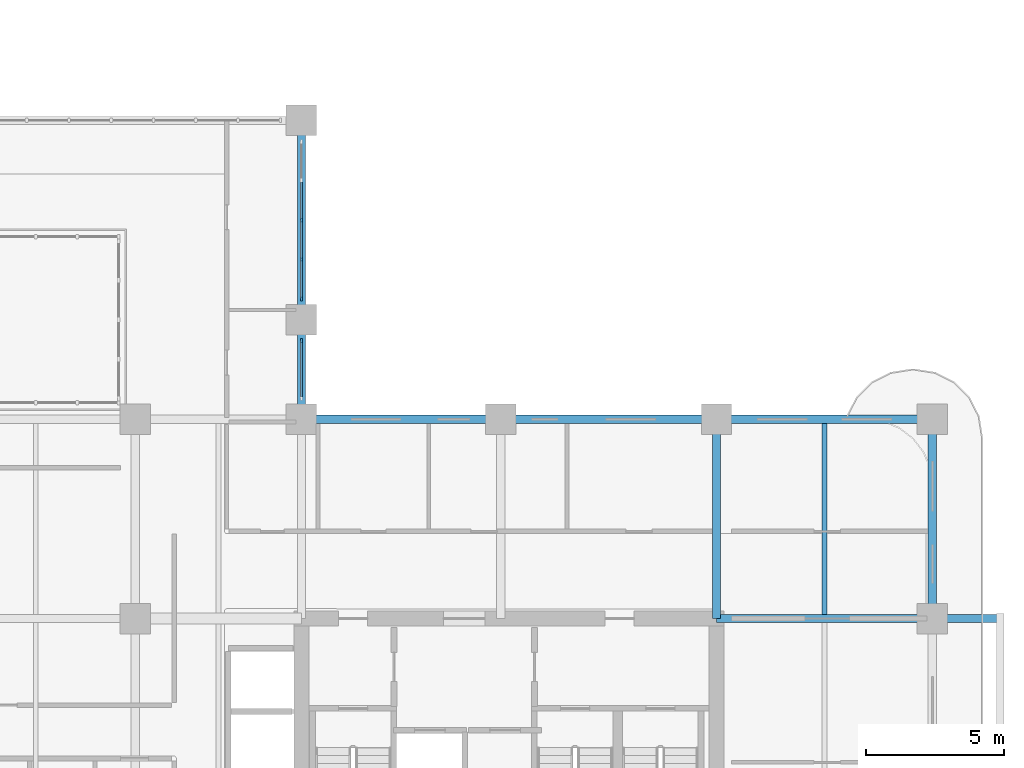
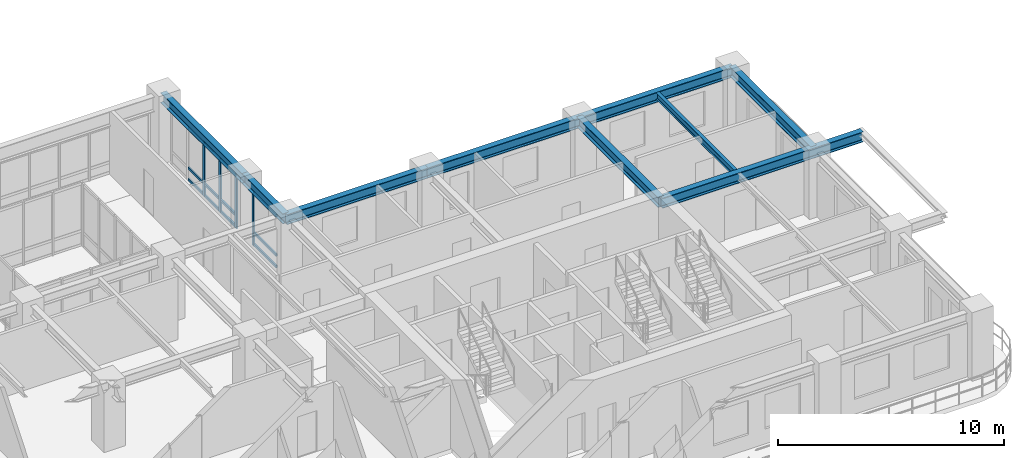
# One storey, part 5 of 22: 16 members, 9 beams, 2 elements without a shape of their own.
"""IFC4 building model written with IfcOpenShell, lengths in metres."""

from ifc_helpers import new_model, si_unit, derived_unit, direction, frame, origin, origin_2d, place, context, subcontext, project, spatial, rectangle, i_section, extrude, source, transform, mapped, material, layer, layer_set, material_profile, profile_set, type_object, type_shapes, element, aggregate, save


model = new_model("IFC4")

# Units and contexts
model_context = context("Model", 3, precision=1e-05, world=origin(), true_north=direction((0.0, 1.0)))
body_context = subcontext(model_context, "Body", "Model", "MODEL_VIEW")
ifc_project = project(units=[si_unit("LENGTHUNIT", "METRE"), si_unit("AREAUNIT", "SQUARE_METRE"), si_unit("VOLUMEUNIT", "CUBIC_METRE"), si_unit("PLANEANGLEUNIT", "RADIAN"), si_unit("MASSUNIT", "GRAM", prefix="KILO"), si_unit("THERMODYNAMICTEMPERATUREUNIT", "KELVIN"), si_unit("POWERUNIT", "WATT"), derived_unit("THERMALTRANSMITTANCEUNIT", [(si_unit("POWERUNIT", "WATT"), 1), (si_unit("AREAUNIT", "SQUARE_METRE"), -1), (si_unit("THERMODYNAMICTEMPERATUREUNIT", "KELVIN"), -1)])], contexts=[model_context])

# Site, building, storey
site_placement = place(None, origin())
site = spatial("IfcSite", under=ifc_project, at=site_placement, CompositionType="ELEMENT")
building_placement = place(site_placement, origin())
building = spatial("IfcBuilding", under=site, at=building_placement, Name="Zahravan Archway Hotel and Residences", CompositionType="ELEMENT")
storey_placement = place(building_placement, frame((0.0, 0.0, 80.5)))
storey = spatial("IfcBuildingStorey", under=building, at=storey_placement, Name="L19", CompositionType="ELEMENT", Elevation=80.5)

# Beams
ifc_material_1 = material(Name="Structural Steel S355JR", Category="steel")
ifc_material_profile_1 = material_profile(ifc_material_1, i_section(OverallWidth=0.300048828125, OverallDepth=0.550048828125, WebThickness=0.014892578125, FlangeThickness=0.029052734375, FilletRadius=0.027099609375, at=origin_2d()), Name="HEB 550", Category="steel")
ifc_profile_set_1 = profile_set([ifc_material_profile_1], Name="Structural Steel S355JR")
beam_type_1 = type_object("IfcBeamType", Name="BM-PRI-HEB550", PredefinedType="BEAM", material=ifc_profile_set_1)
shared_shape_1 = source(origin(), body_context, "Body", "SweptSolid", [
    extrude(i_section(OverallWidth=0.300048828125, OverallDepth=0.550048828125, WebThickness=0.014892578125, FlangeThickness=0.029052734375, FilletRadius=0.027099609375, at=origin_2d()), origin(), (0.0, 0.0, 1.0), 7.2001953125),
])
type_shapes(beam_type_1, [shared_shape_1])
for number, where, z_axis, x_axis, name in (
    (1, (49.800048828125, 14.39990234375, 3.175048828125), (0.0, 1.0, 0.0), (-1.0, 0.0, 0.0), "L19 Primary Girder NS-49"),
    (2, (57.60009765625, 14.39990234375, 3.175048828125), (0.0, 1.0, 0.0), (-1.0, 0.0, 0.0), "L19 Primary Girder NS-52"),
):
    element("IfcBeam", number, at=place(storey_placement, frame(where, z_axis=z_axis, x_axis=x_axis)), inside=storey, type_object=beam_type_1, Name=name, PredefinedType="BEAM", context=body_context, shape_type="MappedRepresentation", body=[
        mapped(shared_shape_1, transform((0.0, 0.0, 0.0), scale=1.0)),
    ])
shared_shape_2 = source(origin(), body_context, "Body", "SweptSolid", [
    extrude(i_section(OverallWidth=0.300048828125, OverallDepth=0.550048828125, WebThickness=0.014892578125, FlangeThickness=0.029052734375, FilletRadius=0.027099609375, at=origin_2d()), origin(), (0.0, 0.0, 1.0), 7.199951171875),
])
for number, where, z_axis, x_axis, name in (
    (3, (34.800048828125, 21.60009765625, 3.175048828125), (1.0, 0.0, 0.0), (0.0, 1.0, 0.0), "L19 Primary Girder EW-17"),
    (4, (34.800048828125, 25.199951171875, 3.175048828125), (0.0, 1.0, 0.0), (-1.0, 0.0, 0.0), "L19 Primary Girder NS-47"),
):
    element("IfcBeam", number, at=place(storey_placement, frame(where, z_axis=z_axis, x_axis=x_axis)), inside=storey, type_object=beam_type_1, Name=name, PredefinedType="BEAM", context=body_context, shape_type="MappedRepresentation", body=[
        mapped(shared_shape_2, transform((0.0, 0.0, 0.0), scale=1.0)),
    ])
shared_shape_3 = source(origin(), body_context, "Body", "SweptSolid", [
    extrude(i_section(OverallWidth=0.300048828125, OverallDepth=0.550048828125, WebThickness=0.014892578125, FlangeThickness=0.029052734375, FilletRadius=0.027099609375, at=origin_2d()), origin(), (0.0, 0.0, 1.0), 7.800048828125),
])
for number, where, z_axis, x_axis, name in (
    (5, (42.0, 21.60009765625, 3.175048828125), (1.0, 0.0, 0.0), (0.0, 1.0, 0.0), "L19 Primary Girder EW-18"),
    (6, (49.800048828125, 21.60009765625, 3.175048828125), (1.0, 0.0, 0.0), (0.0, 1.0, 0.0), "L19 Primary Girder EW-19"),
):
    element("IfcBeam", number, at=place(storey_placement, frame(where, z_axis=z_axis, x_axis=x_axis)), inside=storey, type_object=beam_type_1, Name=name, PredefinedType="BEAM", context=body_context, shape_type="MappedRepresentation", body=[
        mapped(shared_shape_3, transform((0.0, 0.0, 0.0), scale=1.0)),
    ])
shared_shape_4 = source(origin(), body_context, "Body", "SweptSolid", [
    extrude(i_section(OverallWidth=0.300048828125, OverallDepth=0.550048828125, WebThickness=0.014892578125, FlangeThickness=0.029052734375, FilletRadius=0.027099609375, at=origin_2d()), origin(), (0.0, 0.0, 1.0), 3.599853515625),
])
beam_1_placement = place(storey_placement, frame((34.800048828125, 21.60009765625, 3.175048828125), z_axis=(0.0, 1.0, 0.0), x_axis=(-1.0, 0.0, 0.0)))
element("IfcBeam", 7, at=beam_1_placement, inside=storey, type_object=beam_type_1, Name="L19 Primary Girder NS-46", PredefinedType="BEAM", context=body_context, shape_type="MappedRepresentation", body=[
    mapped(shared_shape_4, transform((0.0, 0.0, 0.0), scale=1.0)),
])
shared_shape_5 = source(origin(), body_context, "Body", "SweptSolid", [
    extrude(i_section(OverallWidth=0.300048828125, OverallDepth=0.550048828125, WebThickness=0.014892578125, FlangeThickness=0.029052734375, FilletRadius=0.027099609375, at=origin_2d()), origin(), (0.0, 0.0, 1.0), 10.25),
])
beam_2_placement = place(storey_placement, frame((49.800048828125, 14.39990234375, 3.175048828125), z_axis=(1.0, 0.0, 0.0), x_axis=(0.0, 1.0, 0.0)))
element("IfcBeam", 8, at=beam_2_placement, inside=storey, type_object=beam_type_1, Name="L19 Primary Girder EW-13", PredefinedType="BEAM", context=body_context, shape_type="MappedRepresentation", body=[
    mapped(shared_shape_5, transform((0.0, 0.0, 0.0), scale=1.0)),
])
ifc_material_profile_2 = material_profile(ifc_material_1, i_section(OverallWidth=0.169921875, OverallDepth=0.360107421875, WebThickness=0.008056640625, FlangeThickness=0.0126953125, FilletRadius=0.01806640625, at=origin_2d()), Name="IPE 360", Category="steel")
ifc_profile_set_2 = profile_set([ifc_material_profile_2], Name="Structural Steel S355JR")
beam_type_2 = type_object("IfcBeamType", Name="BM-JST-IPE360", PredefinedType="JOIST", material=ifc_profile_set_2)
shared_shape_6 = source(origin(), body_context, "Body", "SweptSolid", [
    extrude(i_section(OverallWidth=0.169921875, OverallDepth=0.360107421875, WebThickness=0.008056640625, FlangeThickness=0.0126953125, FilletRadius=0.01806640625, at=origin_2d()), origin(), (0.0, 0.0, 1.0), 6.90380859375),
])
beam_3_placement = place(storey_placement, frame((53.699951171875, 14.548095703125, 3.27001953125), z_axis=(0.0, 1.0, 0.0), x_axis=(-1.0, 0.0, 0.0)))
element("IfcBeam", 9, at=beam_3_placement, inside=storey, type_object=beam_type_2, Name="L19 Composite Floor Joist 12", PredefinedType="JOIST", context=body_context, shape_type="MappedRepresentation", body=[
    mapped(shared_shape_6, transform((0.0, 0.0, 0.0), scale=1.0)),
])

# Curtain wall, members
ifc_material_2 = material(Name="Bronze-Anodized Unitised Aluminium & Low-E Glass", Category="aluminium")
ifc_layer = layer(ifc_material_2, 0.179931640625, Name="Bronze-Anodized Unitised Aluminium & Low-E Glass", Category="aluminium")
ifc_layer_set = layer_set([ifc_layer], Name="Bronze-Anodized Unitised Aluminium & Low-E Glass")
curtain_wall_type = type_object("IfcCurtainWallType", Name="CW-ATR-GLAZ", PredefinedType="NOTDEFINED", material=ifc_layer_set)
curtain_wall_1_placement = place(storey_placement, origin())
curtain_wall_1 = element("IfcCurtainWall", 10, at=curtain_wall_1_placement, inside=storey, type_object=curtain_wall_type, Name="L19 Curtain Wall CW-L19-HNG-E-2", PredefinedType="NOTDEFINED")
ifc_material_3 = material(Name="Bronze-Anodized Extruded Aluminium", Category="aluminium")
ifc_material_profile_3 = material_profile(ifc_material_3, rectangle(XDim=0.080078125, YDim=0.139892578125, at=origin_2d()), Name="TRN 80x140", Category="aluminium")
ifc_profile_set_3 = profile_set([ifc_material_profile_3], Name="Bronze-Anodized Extruded Aluminium")
member_type_1 = type_object("IfcMemberType", Name="CWM-TRN-140", PredefinedType="USERDEFINED", material=ifc_profile_set_3)
shared_shape_7 = source(origin(), body_context, "Body", "SweptSolid", [
    extrude(rectangle(XDim=0.080078125, YDim=0.139892578125, at=origin_2d()), origin(), (0.0, 0.0, 1.0), 1.33984375),
])
member_1_placement = place(storey_placement, frame((34.800048828125, 28.840087890625, 0.070068359375), z_axis=(0.0, 1.0, 0.0), x_axis=(-1.0, 0.0, 0.0)))
member_1 = element("IfcMember", 11, at=member_1_placement, type_object=member_type_1, Name="CW-L19-HNG-E-2 Transom 2-1", ObjectType="TRANSOM", PredefinedType="USERDEFINED", context=body_context, shape_type="MappedRepresentation", body=[
    mapped(shared_shape_7, transform((0.0, 0.0, 0.0), scale=1.0)),
])
member_2_placement = place(storey_placement, frame((34.800048828125, 28.840087890625, 0.6923828125), z_axis=(0.0, 1.0, 0.0), x_axis=(-1.0, 0.0, 0.0)))
member_2 = element("IfcMember", 12, at=member_2_placement, type_object=member_type_1, Name="CW-L19-HNG-E-2 Transom 2-2", ObjectType="TRANSOM", PredefinedType="USERDEFINED", context=body_context, shape_type="MappedRepresentation", body=[
    mapped(shared_shape_7, transform((0.0, 0.0, 0.0), scale=1.0)),
])
member_3_placement = place(storey_placement, frame((34.800048828125, 28.840087890625, 2.81494140625), z_axis=(0.0, 1.0, 0.0), x_axis=(-1.0, 0.0, 0.0)))
member_3 = element("IfcMember", 13, at=member_3_placement, type_object=member_type_1, Name="CW-L19-HNG-E-2 Transom 2-3", ObjectType="TRANSOM", PredefinedType="USERDEFINED", context=body_context, shape_type="MappedRepresentation", body=[
    mapped(shared_shape_7, transform((0.0, 0.0, 0.0), scale=1.0)),
])
shared_shape_8 = source(origin(), body_context, "Body", "SweptSolid", [
    extrude(rectangle(XDim=0.080078125, YDim=0.139892578125, at=origin_2d()), origin(), (0.0, 0.0, 1.0), 1.340087890625),
])
member_4_placement = place(storey_placement, frame((34.800048828125, 26.0, 0.070068359375), z_axis=(0.0, 1.0, 0.0), x_axis=(-1.0, 0.0, 0.0)))
member_4 = element("IfcMember", 14, at=member_4_placement, type_object=member_type_1, Name="CW-L19-HNG-E-2 Transom 0-1", ObjectType="TRANSOM", PredefinedType="USERDEFINED", context=body_context, shape_type="MappedRepresentation", body=[
    mapped(shared_shape_8, transform((0.0, 0.0, 0.0), scale=1.0)),
])
member_5_placement = place(storey_placement, frame((34.800048828125, 26.0, 0.6923828125), z_axis=(0.0, 1.0, 0.0), x_axis=(-1.0, 0.0, 0.0)))
member_5 = element("IfcMember", 15, at=member_5_placement, type_object=member_type_1, Name="CW-L19-HNG-E-2 Transom 0-2", ObjectType="TRANSOM", PredefinedType="USERDEFINED", context=body_context, shape_type="MappedRepresentation", body=[
    mapped(shared_shape_8, transform((0.0, 0.0, 0.0), scale=1.0)),
])
member_6_placement = place(storey_placement, frame((34.800048828125, 26.0, 2.81494140625), z_axis=(0.0, 1.0, 0.0), x_axis=(-1.0, 0.0, 0.0)))
member_6 = element("IfcMember", 16, at=member_6_placement, type_object=member_type_1, Name="CW-L19-HNG-E-2 Transom 0-3", ObjectType="TRANSOM", PredefinedType="USERDEFINED", context=body_context, shape_type="MappedRepresentation", body=[
    mapped(shared_shape_8, transform((0.0, 0.0, 0.0), scale=1.0)),
])
member_7_placement = place(storey_placement, frame((34.800048828125, 27.419921875, 0.070068359375), z_axis=(0.0, 1.0, 0.0), x_axis=(-1.0, 0.0, 0.0)))
member_7 = element("IfcMember", 17, at=member_7_placement, type_object=member_type_1, Name="CW-L19-HNG-E-2 Transom 1-1", ObjectType="TRANSOM", PredefinedType="USERDEFINED", context=body_context, shape_type="MappedRepresentation", body=[
    mapped(shared_shape_8, transform((0.0, 0.0, 0.0), scale=1.0)),
])
member_8_placement = place(storey_placement, frame((34.800048828125, 27.419921875, 0.6923828125), z_axis=(0.0, 1.0, 0.0), x_axis=(-1.0, 0.0, 0.0)))
member_8 = element("IfcMember", 18, at=member_8_placement, type_object=member_type_1, Name="CW-L19-HNG-E-2 Transom 1-2", ObjectType="TRANSOM", PredefinedType="USERDEFINED", context=body_context, shape_type="MappedRepresentation", body=[
    mapped(shared_shape_8, transform((0.0, 0.0, 0.0), scale=1.0)),
])
member_9_placement = place(storey_placement, frame((34.800048828125, 27.419921875, 2.81494140625), z_axis=(0.0, 1.0, 0.0), x_axis=(-1.0, 0.0, 0.0)))
member_9 = element("IfcMember", 19, at=member_9_placement, type_object=member_type_1, Name="CW-L19-HNG-E-2 Transom 1-3", ObjectType="TRANSOM", PredefinedType="USERDEFINED", context=body_context, shape_type="MappedRepresentation", body=[
    mapped(shared_shape_8, transform((0.0, 0.0, 0.0), scale=1.0)),
])

# Curtain wall, member
curtain_wall_2_placement = place(storey_placement, origin())
curtain_wall_2 = element("IfcCurtainWall", 20, at=curtain_wall_2_placement, inside=storey, type_object=curtain_wall_type, Name="L19 Curtain Wall CW-L19-HNG-E-1", PredefinedType="NOTDEFINED")
ifc_material_profile_4 = material_profile(ifc_material_3, rectangle(XDim=0.080078125, YDim=0.159912109375, at=origin_2d()), Name="MUL 80x160", Category="aluminium")
ifc_profile_set_4 = profile_set([ifc_material_profile_4], Name="Bronze-Anodized Extruded Aluminium")
member_type_2 = type_object("IfcMemberType", Name="CWM-MUL-160", PredefinedType="MULLION", material=ifc_profile_set_4)
shared_shape_9 = source(origin(), body_context, "Body", "SweptSolid", [
    extrude(rectangle(XDim=0.080078125, YDim=0.159912109375, at=origin_2d()), origin(), (0.0, 0.0, 1.0), 2.885009765625),
])
member_10_placement = place(storey_placement, frame((34.800048828125, 24.43994140625, 0.0), z_axis=(0.0, 0.0, 1.0), x_axis=(1.0, 0.0, 0.0)))
member_10 = element("IfcMember", 21, at=member_10_placement, type_object=member_type_2, Name="CW-L19-HNG-E-1 Mullion 1", PredefinedType="MULLION", context=body_context, shape_type="MappedRepresentation", body=[
    mapped(shared_shape_9, transform((0.0, 0.0, 0.0), scale=1.0)),
])

# Member
member_11_placement = place(storey_placement, frame((34.800048828125, 25.9599609375, 0.0), z_axis=(0.0, 0.0, 1.0), x_axis=(1.0, 0.0, 0.0)))
member_11 = element("IfcMember", 22, at=member_11_placement, type_object=member_type_2, Name="CW-L19-HNG-E-2 Mullion 0", PredefinedType="MULLION", context=body_context, shape_type="MappedRepresentation", body=[
    mapped(shared_shape_9, transform((0.0, 0.0, 0.0), scale=1.0)),
])

member_12_placement = place(storey_placement, frame((34.800048828125, 27.3798828125, 0.0), z_axis=(0.0, 0.0, 1.0), x_axis=(1.0, 0.0, 0.0)))
member_12 = element("IfcMember", 23, at=member_12_placement, type_object=member_type_2, Name="CW-L19-HNG-E-2 Mullion 1", PredefinedType="MULLION", context=body_context, shape_type="MappedRepresentation", body=[
    mapped(shared_shape_9, transform((0.0, 0.0, 0.0), scale=1.0)),
])

member_13_placement = place(storey_placement, frame((34.800048828125, 28.800048828125, 0.0), z_axis=(0.0, 0.0, 1.0), x_axis=(1.0, 0.0, 0.0)))
member_13 = element("IfcMember", 24, at=member_13_placement, type_object=member_type_2, Name="CW-L19-HNG-E-2 Mullion 2", PredefinedType="MULLION", context=body_context, shape_type="MappedRepresentation", body=[
    mapped(shared_shape_9, transform((0.0, 0.0, 0.0), scale=1.0)),
])

aggregate(curtain_wall_1, [member_11, member_12, member_13, member_4, member_5, member_6, member_7, member_8, member_9, member_1, member_2, member_3])

shared_shape_10 = source(origin(), body_context, "Body", "SweptSolid", [
    extrude(rectangle(XDim=0.080078125, YDim=0.139892578125, at=origin_2d()), origin(), (0.0, 0.0, 1.0), 2.0),
])
member_14_placement = place(storey_placement, frame((34.800048828125, 22.39990234375, 0.070068359375), z_axis=(0.0, 1.0, 0.0), x_axis=(-1.0, 0.0, 0.0)))
member_14 = element("IfcMember", 25, at=member_14_placement, type_object=member_type_1, Name="CW-L19-HNG-E-1 Transom 0-1", ObjectType="TRANSOM", PredefinedType="USERDEFINED", context=body_context, shape_type="MappedRepresentation", body=[
    mapped(shared_shape_10, transform((0.0, 0.0, 0.0), scale=1.0)),
])

member_15_placement = place(storey_placement, frame((34.800048828125, 22.39990234375, 0.6923828125), z_axis=(0.0, 1.0, 0.0), x_axis=(-1.0, 0.0, 0.0)))
member_15 = element("IfcMember", 26, at=member_15_placement, type_object=member_type_1, Name="CW-L19-HNG-E-1 Transom 0-2", ObjectType="TRANSOM", PredefinedType="USERDEFINED", context=body_context, shape_type="MappedRepresentation", body=[
    mapped(shared_shape_10, transform((0.0, 0.0, 0.0), scale=1.0)),
])

member_16_placement = place(storey_placement, frame((34.800048828125, 22.39990234375, 2.81494140625), z_axis=(0.0, 1.0, 0.0), x_axis=(-1.0, 0.0, 0.0)))
member_16 = element("IfcMember", 27, at=member_16_placement, type_object=member_type_1, Name="CW-L19-HNG-E-1 Transom 0-3", ObjectType="TRANSOM", PredefinedType="USERDEFINED", context=body_context, shape_type="MappedRepresentation", body=[
    mapped(shared_shape_10, transform((0.0, 0.0, 0.0), scale=1.0)),
])

aggregate(curtain_wall_2, [member_10, member_14, member_15, member_16])

save(model, "model.ifc")
